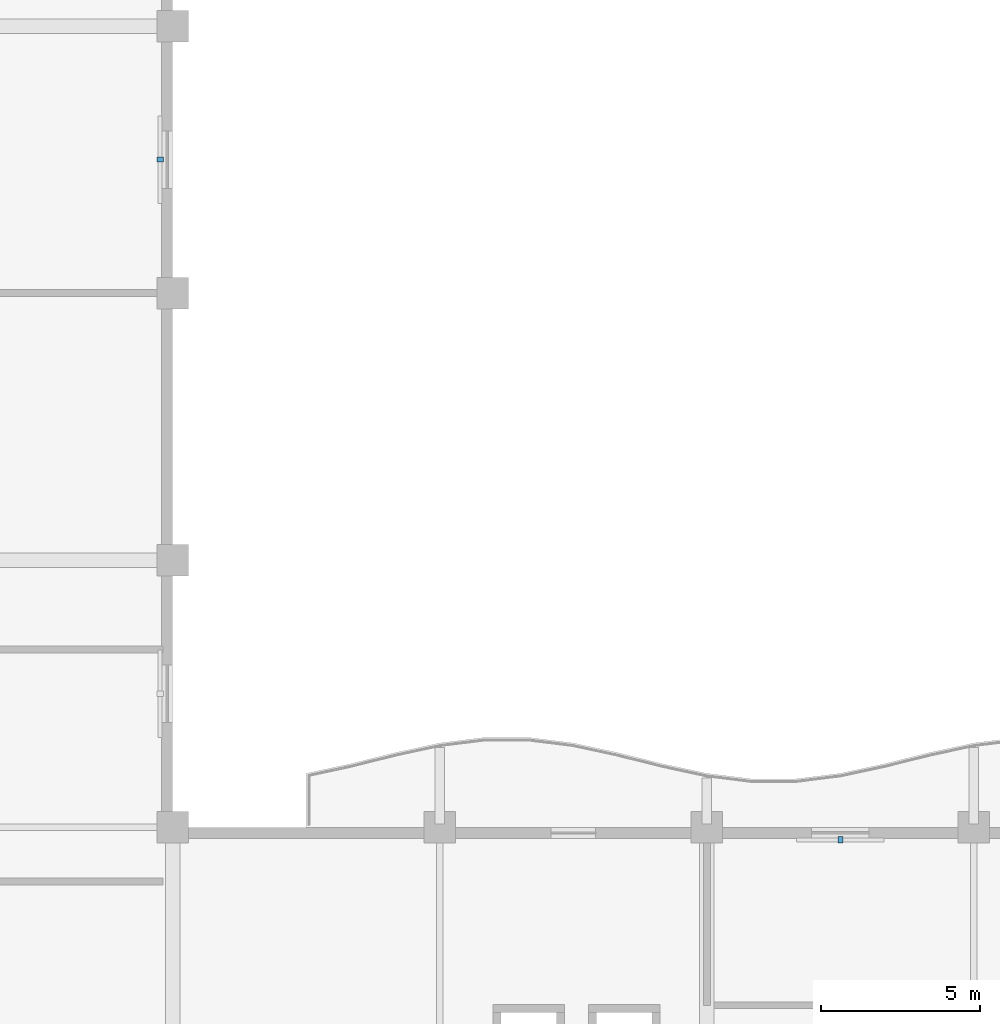
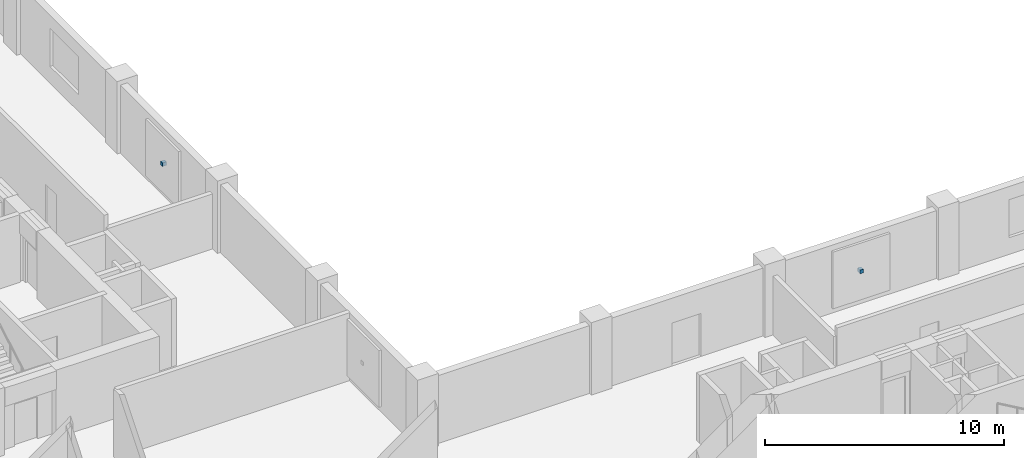
# One storey, part 11 of 15: 2 discrete accessories.
"""IFC4 building model written with IfcOpenShell, lengths in metres."""

import ifcopenshell
import ifcopenshell.guid

model = None  # the IFC model being written
_history = None  # IfcOwnerHistory: only IFC2X3 demands one
_inside = {}  # id of a spatial element -> (the spatial element, [elements in it])
_under = {}  # id of a project, library or spatial element -> (it, [spatial elements below it])
_declared = {}  # id of a project -> (the project, [libraries it declares])
_typed = {}  # id of a type object -> (the type object, [elements of that type])
_made_of = {}  # id of a material, layer set ... -> (it, [elements and type objects made of it])


def new_model(schema):
    """Start an empty IFC model of exactly this schema.

    Asked for "IFC4X3", IfcOpenShell would pick the latest addendum, in which some entities
    have other attributes; the version numbers below select the first issue.
    IFC2X3 requires an IfcOwnerHistory on every rooted entity: one is made here for all.
    """
    global model, _history
    if schema == "IFC4X3":
        model = ifcopenshell.file(schema_version=(4, 3, 0, 0))
    else:
        model = ifcopenshell.file(schema=schema)
    _inside.clear()
    _under.clear()
    _declared.clear()
    _typed.clear()
    _made_of.clear()
    _history = None
    if model.schema == "IFC2X3":
        org = make("IfcOrganization", Name="unknown")
        user = make(
            "IfcPersonAndOrganization",
            ThePerson=make("IfcPerson", FamilyName="unknown"),
            TheOrganization=org,
        )
        app = make(
            "IfcApplication",
            ApplicationDeveloper=org,
            Version="unknown",
            ApplicationFullName="unknown",
            ApplicationIdentifier="unknown",
        )
        _history = make(
            "IfcOwnerHistory",
            OwningUser=user,
            OwningApplication=app,
            ChangeAction="ADDED",
            CreationDate=0,
        )
    return model


def make(cls, **values):
    """One entity of the class cls with the attributes given. An attribute that is None is left unset."""
    return model.create_entity(
        cls, **{name: value for name, value in values.items() if value is not None}
    )


def rooted(cls, **values):
    """An entity with a GlobalId (a new one), such as an element, a storey or a relation."""
    return make(cls, GlobalId=ifcopenshell.guid.new(), OwnerHistory=_history, **values)


def si_unit(unit_type, name, prefix=None):
    """IfcSIUnit, for example si_unit("LENGTHUNIT", "METRE", prefix="MILLI")."""
    return make("IfcSIUnit", UnitType=unit_type, Prefix=prefix, Name=name)


def assignment(units):
    """IfcUnitAssignment: the units of a project."""
    return None if units is None else make("IfcUnitAssignment", Units=units)


def point(xyz):
    """IfcCartesianPoint."""
    return None if xyz is None else make("IfcCartesianPoint", Coordinates=xyz)


def direction(xyz):
    """IfcDirection."""
    return None if xyz is None else make("IfcDirection", DirectionRatios=xyz)


def frame(location, z_axis=None, x_axis=None):
    """IfcAxis2Placement3D, a coordinate frame: its origin and axes. An axis left out is left unset."""
    return make(
        "IfcAxis2Placement3D",
        Location=point(location),
        Axis=direction(z_axis),
        RefDirection=direction(x_axis),
    )


def frame_2d(location, x_axis=None):
    """IfcAxis2Placement2D, a coordinate frame in the plane: its origin and x axis."""
    return make(
        "IfcAxis2Placement2D", Location=point(location), RefDirection=direction(x_axis)
    )


def origin():
    """The frame at (0, 0, 0) with its axes left unset."""
    return frame((0.0, 0.0, 0.0))


def origin_2d():
    """The frame at (0, 0) in the plane with its x axis left unset."""
    return frame_2d((0.0, 0.0))


def place(relative_to, where):
    """IfcLocalPlacement: puts the frame where relative to a parent placement (None: the world)."""
    return make(
        "IfcLocalPlacement", PlacementRelTo=relative_to, RelativePlacement=where
    )


def context(
    kind, dimensions, precision=None, world=None, true_north=None, identifier=None
):
    """IfcGeometricRepresentationContext, for example the 3D "Model" context."""
    return make(
        "IfcGeometricRepresentationContext",
        ContextIdentifier=identifier,
        ContextType=kind,
        CoordinateSpaceDimension=dimensions,
        Precision=precision,
        WorldCoordinateSystem=world,
        TrueNorth=true_north,
    )


def subcontext(parent, identifier, kind, view, scale=None):
    """IfcGeometricRepresentationSubContext, for example "Body" below "Model"."""
    return make(
        "IfcGeometricRepresentationSubContext",
        ContextIdentifier=identifier,
        ContextType=kind,
        ParentContext=parent,
        TargetScale=scale,
        TargetView=view,
    )


def project(units=None, contexts=None):
    """IfcProject with its units and contexts."""
    return rooted(
        "IfcProject",
        Name="project",
        RepresentationContexts=contexts,
        UnitsInContext=assignment(units),
    )


def spatial(cls, under=None, at=None, **own):
    """A site, building, storey or space (cls), placed at a placement, below another one or the project."""
    s = rooted(cls, ObjectPlacement=at, **own)
    if under is not None:
        _under.setdefault(under.id(), (under, []))[1].append(s)
    return s


def profile(cls, at=None, kind="AREA", **sizes):
    """A parametric profile (cls). Its sizes go by their IFC names, for example OverallWidth=200.0."""
    return make(cls, ProfileType=kind, Position=at, **sizes)


def rectangle(**sizes):
    """IfcRectangleProfileDef."""
    return profile("IfcRectangleProfileDef", **sizes)


def extrude(swept, where, along, depth):
    """IfcExtrudedAreaSolid: the profile swept, set in the frame where, extruded along a direction by depth."""
    return make(
        "IfcExtrudedAreaSolid",
        SweptArea=swept,
        Position=where,
        ExtrudedDirection=direction(along),
        Depth=depth,
    )


def shape(context_of_items, identifier, shape_type, items):
    """IfcShapeRepresentation: the items that make up one representation, for example the "Body"."""
    return make(
        "IfcShapeRepresentation",
        ContextOfItems=context_of_items,
        RepresentationIdentifier=identifier,
        RepresentationType=shape_type,
        Items=items,
    )


def material(Name=None, Category=None):
    """IfcMaterial."""
    return make("IfcMaterial", Name=Name, Category=Category)


def made_of(thing, what):
    """Note that an element or type object is made of a material, layer set ...; save() writes the relation."""
    if what is not None:
        _made_of.setdefault(what.id(), (what, []))[1].append(thing)
    return thing


def type_object(cls, material=None, **own):
    """A type object (cls), such as IfcWallType, which elements share."""
    return made_of(rooted(cls, **own), material)


def element(
    cls,
    number,
    at=None,
    inside=None,
    cuts=None,
    type_object=None,
    material=None,
    context=None,
    identifier="Body",
    shape_type=None,
    held_by="IfcProductDefinitionShape",
    body=None,
    shapes=None,
    **own,
):
    """One element of the class cls, such as IfcWall. Its Tag is "e" and its number.

    at: its placement. inside: the storey or other place that contains it. cuts: it is an
    opening in that element (IfcRelVoidsElement). A single representation is given by context,
    identifier, shape_type and body (its items); several are given by shapes. held_by: the class
    of the entity that holds the representations. save() writes the other relations.
    """
    e = rooted(cls, Tag="e%d" % number, ObjectPlacement=at, **own)
    if body is not None:
        shapes = [shape(context, identifier, shape_type, body)]
    if shapes is not None:
        e.Representation = make(held_by, Representations=shapes)
    if inside is not None:
        _inside.setdefault(inside.id(), (inside, []))[1].append(e)
    if cuts is not None:
        rooted(
            "IfcRelVoidsElement", RelatingBuildingElement=cuts, RelatedOpeningElement=e
        )
    if type_object is not None:
        _typed.setdefault(type_object.id(), (type_object, []))[1].append(e)
    return made_of(e, material)


def aggregate(whole, parts):
    """IfcRelAggregates: a whole, such as a stair, and the parts it consists of."""
    return rooted("IfcRelAggregates", RelatingObject=whole, RelatedObjects=parts)


def save(model, path):
    """Write the relations noted so far, then the file.

    IfcRelAggregates (storeys below a building ...), IfcRelContainedInSpatialStructure (elements
    in a storey), IfcRelDefinesByType, IfcRelAssociatesMaterial and IfcRelDeclares: one each for
    every whole, place, type object, material and project.
    """
    for whole, parts in _under.values():
        aggregate(whole, parts)
    for where, things in _inside.values():
        rooted(
            "IfcRelContainedInSpatialStructure",
            RelatedElements=things,
            RelatingStructure=where,
        )
    for kind, things in _typed.values():
        rooted("IfcRelDefinesByType", RelatedObjects=things, RelatingType=kind)
    for what, things in _made_of.values():
        rooted("IfcRelAssociatesMaterial", RelatedObjects=things, RelatingMaterial=what)
    for by, libraries in _declared.values():
        rooted("IfcRelDeclares", RelatingContext=by, RelatedDefinitions=libraries)
    model.write(path)


model = new_model("IFC4")

# Units and contexts
model_context = context("Model", 3, precision=1e-05, world=origin(), true_north=direction((0.0, 1.0)))
body_context = subcontext(model_context, "Body", "Model", "MODEL_VIEW")
ifc_project = project(units=[si_unit("LENGTHUNIT", "METRE"), si_unit("AREAUNIT", "SQUARE_METRE"), si_unit("VOLUMEUNIT", "CUBIC_METRE"), si_unit("PLANEANGLEUNIT", "RADIAN"), si_unit("MASSUNIT", "GRAM", prefix="KILO")], contexts=[model_context])

# Site, building, storey
site_placement = place(None, origin())
site = spatial("IfcSite", under=ifc_project, at=site_placement, CompositionType="ELEMENT")
building_placement = place(site_placement, origin())
building = spatial("IfcBuilding", under=site, at=building_placement, Name="Koriwani Terraces Tower", CompositionType="ELEMENT")
storey_placement = place(building_placement, frame((0.0, 0.0, 216.10009765625)))
storey = spatial("IfcBuildingStorey", under=building, at=storey_placement, Name="L53", CompositionType="ELEMENT", Elevation=216.10009765625)

# Discrete accessories
ifc_material = material(Name="Steel ASTM A572 Grade 50", Category="steel")
discrete_accessory_type = type_object("IfcDiscreteAccessoryType", Name="BAGUETTE_STANDOFF_BRACKET", PredefinedType="BRACKET", material=ifc_material)
for number, where, z_axis, x_axis, name in (
    (1, (33.2099609375, 54.60009765625, 1.64501953125), (0.0, 0.0, 1.0), (0.0, -1.0, 0.0), "L53 Terracotta Baguette Bracket (NW_IN-8)"),
    (2, (54.60009765625, 33.2099609375, 1.64501953125), (0.0, 0.0, 1.0), (1.0, 0.0, 0.0), "L53 Terracotta Baguette Bracket (NE-8)"),
):
    element("IfcDiscreteAccessory", number, at=place(storey_placement, frame(where, z_axis=z_axis, x_axis=x_axis)), inside=storey, type_object=discrete_accessory_type, Name=name, PredefinedType="BRACKET", context=body_context, shape_type="SweptSolid", body=[
        extrude(rectangle(XDim=0.159912109375, YDim=0.199951171875, at=origin_2d()), origin(), (0.0, 0.0, 1.0), 0.179931640625),
    ])

save(model, "model.ifc")
